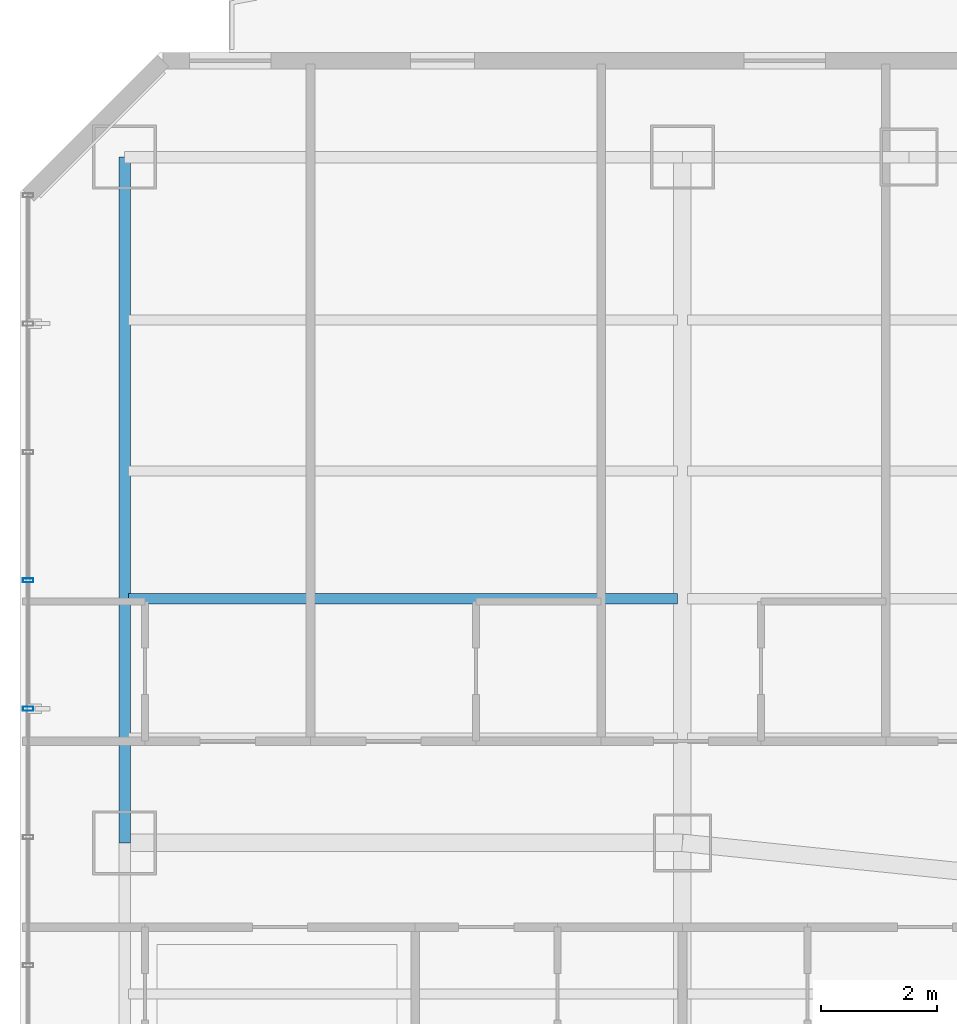
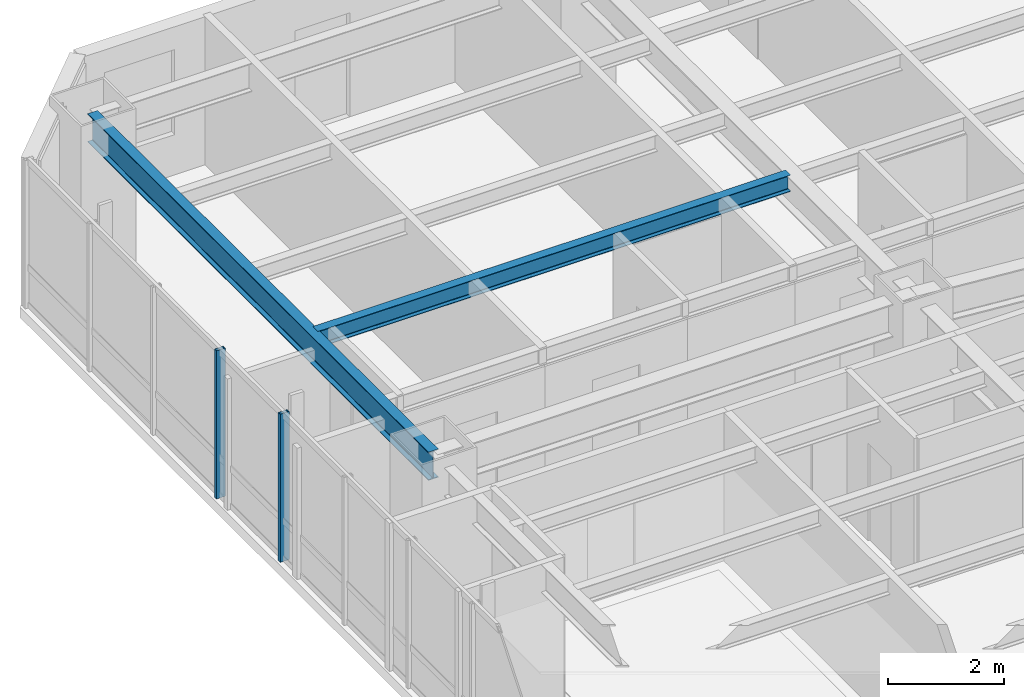
# One storey, part 14 of 38: 2 beams, 2 members, 1 element without a shape of its own.
"""IFC4 building model written with IfcOpenShell, lengths in metres."""

import ifcopenshell
import ifcopenshell.guid

model = None  # the IFC model being written
_history = None  # IfcOwnerHistory: only IFC2X3 demands one
_inside = {}  # id of a spatial element -> (the spatial element, [elements in it])
_under = {}  # id of a project, library or spatial element -> (it, [spatial elements below it])
_declared = {}  # id of a project -> (the project, [libraries it declares])
_typed = {}  # id of a type object -> (the type object, [elements of that type])
_made_of = {}  # id of a material, layer set ... -> (it, [elements and type objects made of it])


def new_model(schema):
    """Start an empty IFC model of exactly this schema.

    Asked for "IFC4X3", IfcOpenShell would pick the latest addendum, in which some entities
    have other attributes; the version numbers below select the first issue.
    IFC2X3 requires an IfcOwnerHistory on every rooted entity: one is made here for all.
    """
    global model, _history
    if schema == "IFC4X3":
        model = ifcopenshell.file(schema_version=(4, 3, 0, 0))
    else:
        model = ifcopenshell.file(schema=schema)
    _inside.clear()
    _under.clear()
    _declared.clear()
    _typed.clear()
    _made_of.clear()
    _history = None
    if model.schema == "IFC2X3":
        org = make("IfcOrganization", Name="unknown")
        user = make(
            "IfcPersonAndOrganization",
            ThePerson=make("IfcPerson", FamilyName="unknown"),
            TheOrganization=org,
        )
        app = make(
            "IfcApplication",
            ApplicationDeveloper=org,
            Version="unknown",
            ApplicationFullName="unknown",
            ApplicationIdentifier="unknown",
        )
        _history = make(
            "IfcOwnerHistory",
            OwningUser=user,
            OwningApplication=app,
            ChangeAction="ADDED",
            CreationDate=0,
        )
    return model


def make(cls, **values):
    """One entity of the class cls with the attributes given. An attribute that is None is left unset."""
    return model.create_entity(
        cls, **{name: value for name, value in values.items() if value is not None}
    )


def rooted(cls, **values):
    """An entity with a GlobalId (a new one), such as an element, a storey or a relation."""
    return make(cls, GlobalId=ifcopenshell.guid.new(), OwnerHistory=_history, **values)


def si_unit(unit_type, name, prefix=None):
    """IfcSIUnit, for example si_unit("LENGTHUNIT", "METRE", prefix="MILLI")."""
    return make("IfcSIUnit", UnitType=unit_type, Prefix=prefix, Name=name)


def assignment(units):
    """IfcUnitAssignment: the units of a project."""
    return None if units is None else make("IfcUnitAssignment", Units=units)


def point(xyz):
    """IfcCartesianPoint."""
    return None if xyz is None else make("IfcCartesianPoint", Coordinates=xyz)


def direction(xyz):
    """IfcDirection."""
    return None if xyz is None else make("IfcDirection", DirectionRatios=xyz)


def frame(location, z_axis=None, x_axis=None):
    """IfcAxis2Placement3D, a coordinate frame: its origin and axes. An axis left out is left unset."""
    return make(
        "IfcAxis2Placement3D",
        Location=point(location),
        Axis=direction(z_axis),
        RefDirection=direction(x_axis),
    )


def frame_2d(location, x_axis=None):
    """IfcAxis2Placement2D, a coordinate frame in the plane: its origin and x axis."""
    return make(
        "IfcAxis2Placement2D", Location=point(location), RefDirection=direction(x_axis)
    )


def origin():
    """The frame at (0, 0, 0) with its axes left unset."""
    return frame((0.0, 0.0, 0.0))


def origin_2d():
    """The frame at (0, 0) in the plane with its x axis left unset."""
    return frame_2d((0.0, 0.0))


def place(relative_to, where):
    """IfcLocalPlacement: puts the frame where relative to a parent placement (None: the world)."""
    return make(
        "IfcLocalPlacement", PlacementRelTo=relative_to, RelativePlacement=where
    )


def context(
    kind, dimensions, precision=None, world=None, true_north=None, identifier=None
):
    """IfcGeometricRepresentationContext, for example the 3D "Model" context."""
    return make(
        "IfcGeometricRepresentationContext",
        ContextIdentifier=identifier,
        ContextType=kind,
        CoordinateSpaceDimension=dimensions,
        Precision=precision,
        WorldCoordinateSystem=world,
        TrueNorth=true_north,
    )


def subcontext(parent, identifier, kind, view, scale=None):
    """IfcGeometricRepresentationSubContext, for example "Body" below "Model"."""
    return make(
        "IfcGeometricRepresentationSubContext",
        ContextIdentifier=identifier,
        ContextType=kind,
        ParentContext=parent,
        TargetScale=scale,
        TargetView=view,
    )


def project(units=None, contexts=None):
    """IfcProject with its units and contexts."""
    return rooted(
        "IfcProject",
        Name="project",
        RepresentationContexts=contexts,
        UnitsInContext=assignment(units),
    )


def spatial(cls, under=None, at=None, **own):
    """A site, building, storey or space (cls), placed at a placement, below another one or the project."""
    s = rooted(cls, ObjectPlacement=at, **own)
    if under is not None:
        _under.setdefault(under.id(), (under, []))[1].append(s)
    return s


def profile(cls, at=None, kind="AREA", **sizes):
    """A parametric profile (cls). Its sizes go by their IFC names, for example OverallWidth=200.0."""
    return make(cls, ProfileType=kind, Position=at, **sizes)


def hollow_rectangle(**sizes):
    """IfcRectangleHollowProfileDef."""
    return profile("IfcRectangleHollowProfileDef", **sizes)


def i_section(**sizes):
    """IfcIShapeProfileDef."""
    return profile("IfcIShapeProfileDef", **sizes)


def extrude(swept, where, along, depth):
    """IfcExtrudedAreaSolid: the profile swept, set in the frame where, extruded along a direction by depth."""
    return make(
        "IfcExtrudedAreaSolid",
        SweptArea=swept,
        Position=where,
        ExtrudedDirection=direction(along),
        Depth=depth,
    )


def shape(context_of_items, identifier, shape_type, items):
    """IfcShapeRepresentation: the items that make up one representation, for example the "Body"."""
    return make(
        "IfcShapeRepresentation",
        ContextOfItems=context_of_items,
        RepresentationIdentifier=identifier,
        RepresentationType=shape_type,
        Items=items,
    )


def material(Name=None, Category=None):
    """IfcMaterial."""
    return make("IfcMaterial", Name=Name, Category=Category)


def layer(
    of_material, thickness, ventilated=None, Name=None, Category=None, Priority=None
):
    """IfcMaterialLayer: one layer of a wall or slab, of a material (None: an air gap)."""
    return make(
        "IfcMaterialLayer",
        Material=of_material,
        LayerThickness=thickness,
        IsVentilated=ventilated,
        Name=Name,
        Category=Category,
        Priority=Priority,
    )


def layer_set(layers, Name=None):
    """IfcMaterialLayerSet."""
    return make("IfcMaterialLayerSet", MaterialLayers=layers, LayerSetName=Name)


def material_profile(
    of_material, cross_section, Name=None, Category=None, Priority=None
):
    """IfcMaterialProfile: a cross section and its material."""
    return make(
        "IfcMaterialProfile",
        Name=Name,
        Material=of_material,
        Profile=cross_section,
        Priority=Priority,
        Category=Category,
    )


def profile_set(profiles, Name=None, composite=None):
    """IfcMaterialProfileSet."""
    return make(
        "IfcMaterialProfileSet",
        Name=Name,
        MaterialProfiles=profiles,
        CompositeProfile=composite,
    )


def made_of(thing, what):
    """Note that an element or type object is made of a material, layer set ...; save() writes the relation."""
    if what is not None:
        _made_of.setdefault(what.id(), (what, []))[1].append(thing)
    return thing


def type_object(cls, material=None, **own):
    """A type object (cls), such as IfcWallType, which elements share."""
    return made_of(rooted(cls, **own), material)


def element(
    cls,
    number,
    at=None,
    inside=None,
    cuts=None,
    type_object=None,
    material=None,
    context=None,
    identifier="Body",
    shape_type=None,
    held_by="IfcProductDefinitionShape",
    body=None,
    shapes=None,
    **own,
):
    """One element of the class cls, such as IfcWall. Its Tag is "e" and its number.

    at: its placement. inside: the storey or other place that contains it. cuts: it is an
    opening in that element (IfcRelVoidsElement). A single representation is given by context,
    identifier, shape_type and body (its items); several are given by shapes. held_by: the class
    of the entity that holds the representations. save() writes the other relations.
    """
    e = rooted(cls, Tag="e%d" % number, ObjectPlacement=at, **own)
    if body is not None:
        shapes = [shape(context, identifier, shape_type, body)]
    if shapes is not None:
        e.Representation = make(held_by, Representations=shapes)
    if inside is not None:
        _inside.setdefault(inside.id(), (inside, []))[1].append(e)
    if cuts is not None:
        rooted(
            "IfcRelVoidsElement", RelatingBuildingElement=cuts, RelatedOpeningElement=e
        )
    if type_object is not None:
        _typed.setdefault(type_object.id(), (type_object, []))[1].append(e)
    return made_of(e, material)


def aggregate(whole, parts):
    """IfcRelAggregates: a whole, such as a stair, and the parts it consists of."""
    return rooted("IfcRelAggregates", RelatingObject=whole, RelatedObjects=parts)


def save(model, path):
    """Write the relations noted so far, then the file.

    IfcRelAggregates (storeys below a building ...), IfcRelContainedInSpatialStructure (elements
    in a storey), IfcRelDefinesByType, IfcRelAssociatesMaterial and IfcRelDeclares: one each for
    every whole, place, type object, material and project.
    """
    for whole, parts in _under.values():
        aggregate(whole, parts)
    for where, things in _inside.values():
        rooted(
            "IfcRelContainedInSpatialStructure",
            RelatedElements=things,
            RelatingStructure=where,
        )
    for kind, things in _typed.values():
        rooted("IfcRelDefinesByType", RelatedObjects=things, RelatingType=kind)
    for what, things in _made_of.values():
        rooted("IfcRelAssociatesMaterial", RelatedObjects=things, RelatingMaterial=what)
    for by, libraries in _declared.values():
        rooted("IfcRelDeclares", RelatingContext=by, RelatedDefinitions=libraries)
    model.write(path)


model = new_model("IFC4")

# Units and contexts
model_context = context("Model", 3, precision=1e-05, world=origin(), true_north=direction((0.0, 1.0)))
body_context = subcontext(model_context, "Body", "Model", "MODEL_VIEW")
ifc_project = project(units=[si_unit("LENGTHUNIT", "METRE"), si_unit("AREAUNIT", "SQUARE_METRE"), si_unit("VOLUMEUNIT", "CUBIC_METRE"), si_unit("PLANEANGLEUNIT", "RADIAN"), si_unit("MASSUNIT", "GRAM", prefix="KILO")], contexts=[model_context])

# Site, building, storey
site_placement = place(None, origin())
site = spatial("IfcSite", under=ifc_project, at=site_placement, CompositionType="ELEMENT")
building_placement = place(site_placement, origin())
building = spatial("IfcBuilding", under=site, at=building_placement, Name="Hatsunagi Terrace Concourse", CompositionType="ELEMENT")
storey_placement = place(building_placement, frame((0.0, 0.0, 60.050048828125)))
storey = spatial("IfcBuildingStorey", under=building, at=storey_placement, Name="L15", CompositionType="ELEMENT", Elevation=60.050048828125)

# Curtain wall, members
ifc_material_1 = material(Name="Anodised Aluminium Alloy 6063-T5", Category="aluminium")
ifc_layer = layer(ifc_material_1, 0.199951171875)
ifc_layer_set = layer_set([ifc_layer], Name="HotelFacade_CW02")
curtain_wall_type = type_object("IfcCurtainWallType", Name="HotelFacade_CW02", PredefinedType="NOTDEFINED", material=ifc_layer_set)
curtain_wall_placement = place(storey_placement, origin())
curtain_wall = element("IfcCurtainWall", 1, at=curtain_wall_placement, inside=storey, type_object=curtain_wall_type, Name="Unitised Curtain Wall CW-02 CW-L15-09", PredefinedType="NOTDEFINED")
ifc_material_2 = material(Name="Anodised Aluminium Alloy 6063-T5", Category="aluminium")
ifc_material_profile_1 = material_profile(ifc_material_2, hollow_rectangle(XDim=0.070068359375, YDim=0.179931640625, WallThickness=0.00390625, at=origin_2d()), Name="ALU-MUL-180x70x4")
ifc_profile_set_1 = profile_set([ifc_material_profile_1], Name="Anodised Aluminium Alloy 6063-T5")
member_type = type_object("IfcMemberType", Name="CurtainWallMullion_180x70", PredefinedType="MULLION", material=ifc_profile_set_1)
member_1_placement = place(storey_placement, frame((0.139892578125, 39.10791015625, 0.0), z_axis=(0.0, 0.0, 1.0), x_axis=(0.0, 1.0, 0.0)))
member_1 = element("IfcMember", 2, at=member_1_placement, type_object=member_type, Name="Curtain Wall Mullion MUL-02", PredefinedType="MULLION", context=body_context, shape_type="SweptSolid", body=[
    extrude(hollow_rectangle(XDim=0.070068359375, YDim=0.179931640625, WallThickness=0.00390625, at=origin_2d()), origin(), (0.0, 0.0, 1.0), 3.1298828125),
])
member_2_placement = place(storey_placement, frame((0.139892578125, 41.31689453125, 0.0), z_axis=(0.0, 0.0, 1.0), x_axis=(0.0, 1.0, 0.0)))
member_2 = element("IfcMember", 3, at=member_2_placement, type_object=member_type, Name="Curtain Wall Mullion MUL-02", PredefinedType="MULLION", context=body_context, shape_type="SweptSolid", body=[
    extrude(hollow_rectangle(XDim=0.070068359375, YDim=0.179931640625, WallThickness=0.00390625, at=origin_2d()), origin(), (0.0, 0.0, 1.0), 3.1298828125),
])
aggregate(curtain_wall, [member_1, member_2])

# Beams
ifc_material_3 = material(Name="Steel SN490B", Category="steel")
ifc_material_profile_2 = material_profile(ifc_material_3, i_section(OverallWidth=0.175048828125, OverallDepth=0.35009765625, WebThickness=0.007080078125, FlangeThickness=0.010986328125, FilletRadius=0.012939453125, at=origin_2d()), Name="H-350x175x7x11")
ifc_profile_set_2 = profile_set([ifc_material_profile_2], Name="Steel SN490B")
beam_type_1 = type_object("IfcBeamType", Name="HotelJoist_H_350x175", PredefinedType="JOIST", material=ifc_profile_set_2)
beam_1_placement = place(storey_placement, frame((1.864990234375, 41.0, 2.954833984375), z_axis=(1.0, 0.0, 0.0), x_axis=(0.0, 1.0, 0.0)))
element("IfcBeam", 4, at=beam_1_placement, inside=storey, type_object=beam_type_1, Name="Beam J-02 J-L15-W-1-410", PredefinedType="JOIST", context=body_context, shape_type="SweptSolid", body=[
    extrude(i_section(OverallWidth=0.175048828125, OverallDepth=0.35009765625, WebThickness=0.007080078125, FlangeThickness=0.010986328125, FilletRadius=0.012939453125, at=origin_2d()), origin(), (0.0, 0.0, 1.0), 9.449951171875),
])
ifc_material_4 = material(Name="Steel SN490B", Category="steel")
ifc_material_profile_3 = material_profile(ifc_material_4, i_section(OverallWidth=0.199951171875, OverallDepth=0.60009765625, WebThickness=0.010986328125, FlangeThickness=0.01708984375, FilletRadius=0.01806640625, at=origin_2d()), Name="H-600x200x11x17")
ifc_profile_set_3 = profile_set([ifc_material_profile_3], Name="Steel SN490B")
beam_type_2 = type_object("IfcBeamType", Name="PerimeterSpandrel_H_600x200", PredefinedType="SPANDREL", material=ifc_profile_set_3)
beam_2_placement = place(storey_placement, frame((1.800048828125, 36.800048828125, 2.829833984375), z_axis=(0.0, 1.0, 0.0), x_axis=(-1.0, 0.0, 0.0)))
element("IfcBeam", 5, at=beam_2_placement, inside=storey, type_object=beam_type_2, Name="Beam SP-01 BM-L15-NS-1-36", PredefinedType="SPANDREL", context=body_context, shape_type="SweptSolid", body=[
    extrude(i_section(OverallWidth=0.199951171875, OverallDepth=0.60009765625, WebThickness=0.010986328125, FlangeThickness=0.01708984375, FilletRadius=0.01806640625, at=origin_2d()), origin(), (0.0, 0.0, 1.0), 11.800048828125),
])

save(model, "model.ifc")
